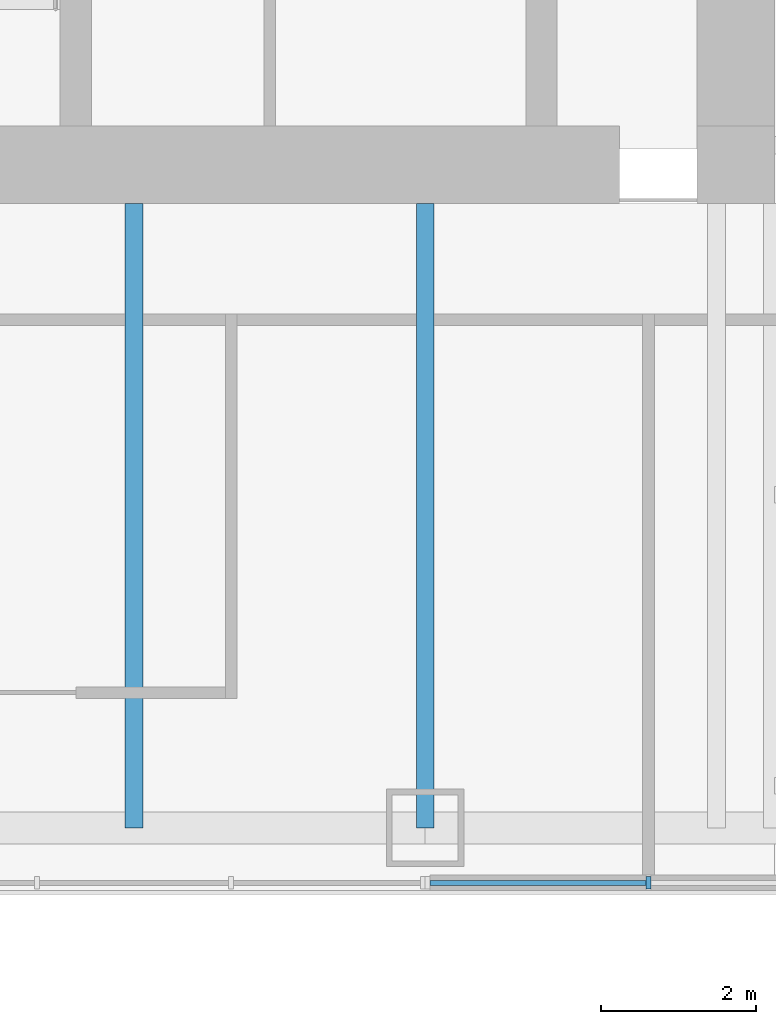
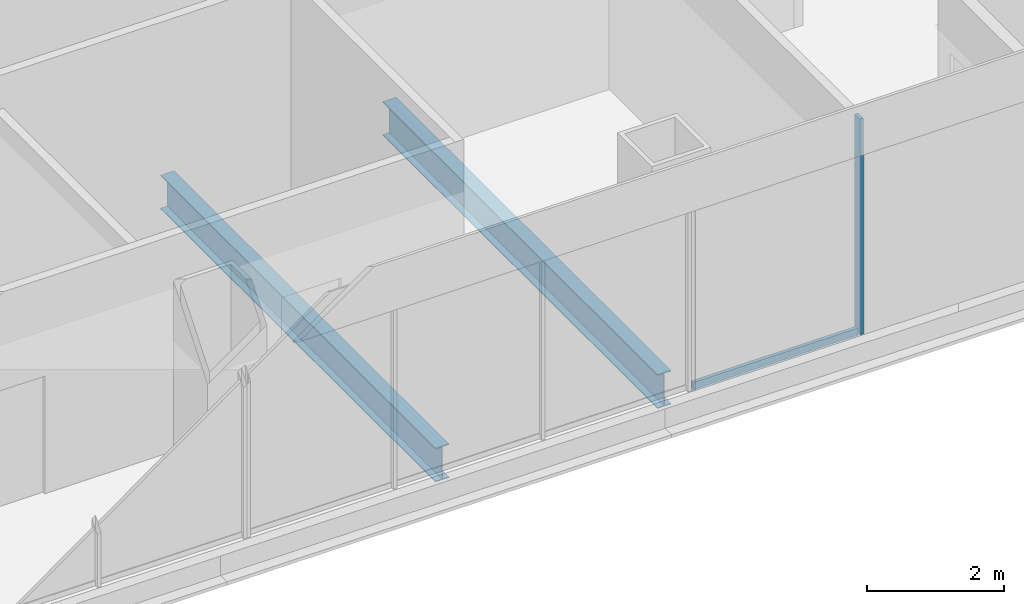
# One storey, part 3 of 14: 2 beams, 2 members, 1 element without a shape of its own.
"""IFC4 building model written with IfcOpenShell, lengths in metres."""

from ifc_helpers import new_model, si_unit, direction, frame, origin, origin_2d, place, context, subcontext, project, spatial, rectangle, i_section, extrude, material, material_profile, profile_set, type_object, element, aggregate, save


model = new_model("IFC4")

# Units and contexts
model_context = context("Model", 3, precision=1e-05, world=origin(), true_north=direction((0.0, 1.0)))
body_context = subcontext(model_context, "Body", "Model", "MODEL_VIEW")
ifc_project = project(units=[si_unit("LENGTHUNIT", "METRE"), si_unit("AREAUNIT", "SQUARE_METRE"), si_unit("VOLUMEUNIT", "CUBIC_METRE"), si_unit("PLANEANGLEUNIT", "RADIAN"), si_unit("MASSUNIT", "GRAM", prefix="KILO")], contexts=[model_context])

# Site, building, storey
site_placement = place(None, origin())
site = spatial("IfcSite", under=ifc_project, at=site_placement, CompositionType="ELEMENT")
building_placement = place(site_placement, origin())
building = spatial("IfcBuilding", under=site, at=building_placement, Name="Tarangal Relay Tower", CompositionType="ELEMENT")
storey_placement = place(building_placement, frame((0.0, 0.0, 287.89990234375)))
storey = spatial("IfcBuildingStorey", under=building, at=storey_placement, Name="L63", CompositionType="ELEMENT", Elevation=287.89990234375)

# Beams
ifc_material_1 = material(Name="Steel ASTM A992", Category="steel")
ifc_material_profile_1 = material_profile(ifc_material_1, i_section(OverallWidth=0.228271484375, OverallDepth=0.607177734375, WebThickness=0.01123046875, FlangeThickness=0.017333984375, at=origin_2d()), Name="W24X76")
ifc_profile_set_1 = profile_set([ifc_material_profile_1], Name="Steel ASTM A992")
beam_type = type_object("IfcBeamType", Name="Floor beam W24X76", PredefinedType="BEAM", material=ifc_profile_set_1)
for number, where, z_axis, x_axis, name in (
    (1, (7.5, -12.0, -0.453369140625), (0.0, -1.0, 0.0), (1.0, 0.0, 0.0), "Floor beam RB5 S L63"),
    (2, (3.75, -12.0, -0.453369140625), (0.0, -1.0, 0.0), (1.0, 0.0, 0.0), "Floor beam RB5 S L63"),
):
    element("IfcBeam", number, at=place(storey_placement, frame(where, z_axis=z_axis, x_axis=x_axis)), inside=storey, type_object=beam_type, Name=name, PredefinedType="BEAM", context=body_context, shape_type="SweptSolid", body=[
        extrude(i_section(OverallWidth=0.228271484375, OverallDepth=0.607177734375, WebThickness=0.01123046875, FlangeThickness=0.017333984375, at=origin_2d()), origin(), (0.0, 0.0, 1.0), 8.0400390625),
    ])

# Curtain wall, members
ifc_material_2 = material(Name="Unitised curtain wall frame, black aluminium, with metal clad infill walls", Category="aluminium")
curtain_wall_type = type_object("IfcCurtainWallType", Name="Curtain wall CW-BO", PredefinedType="USERDEFINED", material=ifc_material_2)
curtain_wall_placement = place(storey_placement, origin())
curtain_wall = element("IfcCurtainWall", 3, at=curtain_wall_placement, inside=storey, type_object=curtain_wall_type, Name="Curtain wall CW-BO S facade L63", ObjectType="UNITISED CURTAIN WALL", PredefinedType="USERDEFINED")
ifc_material_3 = material(Name="Black anodised aluminium mullion", Category="aluminium")
ifc_material_profile_2 = material_profile(ifc_material_3, rectangle(XDim=0.159912109375, YDim=0.06005859375, at=origin_2d()), Name="CW-BOM 60X160")
ifc_profile_set_2 = profile_set([ifc_material_profile_2], Name="Black anodised aluminium mullion")
member_type_1 = type_object("IfcMemberType", Name="Mullion CW-BO 60 x 160", PredefinedType="MULLION", material=ifc_profile_set_2)
member_1_placement = place(storey_placement, frame((10.375, -20.75, 0.0), z_axis=(0.0, 0.0, 1.0), x_axis=(0.0, -1.0, 0.0)))
member_1 = element("IfcMember", 4, at=member_1_placement, type_object=member_type_1, Name="CW-BO mullion 2", PredefinedType="MULLION", context=body_context, shape_type="SweptSolid", body=[
    extrude(rectangle(XDim=0.159912109375, YDim=0.06005859375, at=origin_2d()), origin(), (0.0, 0.0, 1.0), 3.85009765625),
])
ifc_material_4 = material(Name="Black anodised aluminium transom", Category="aluminium")
ifc_material_profile_3 = material_profile(ifc_material_4, rectangle(XDim=0.06005859375, YDim=0.1298828125, at=origin_2d()), Name="CW-BOT 60X130")
ifc_profile_set_3 = profile_set([ifc_material_profile_3], Name="Black anodised aluminium transom")
member_type_2 = type_object("IfcMemberType", Name="Transom CW-BO 60 x 130", PredefinedType="USERDEFINED", material=ifc_profile_set_3)
member_2_placement = place(storey_placement, frame((10.344970703125, -20.75, 0.030029296875), z_axis=(-1.0, 0.0, 0.0), x_axis=(0.0, -1.0, 0.0)))
member_2 = element("IfcMember", 5, at=member_2_placement, type_object=member_type_2, Name="CW-BO transom 2.1", ObjectType="TRANSOM", PredefinedType="USERDEFINED", context=body_context, shape_type="SweptSolid", body=[
    extrude(rectangle(XDim=0.06005859375, YDim=0.1298828125, at=origin_2d()), origin(), (0.0, 0.0, 1.0), 2.784912109375),
])
aggregate(curtain_wall, [member_1, member_2])

save(model, "model.ifc")
